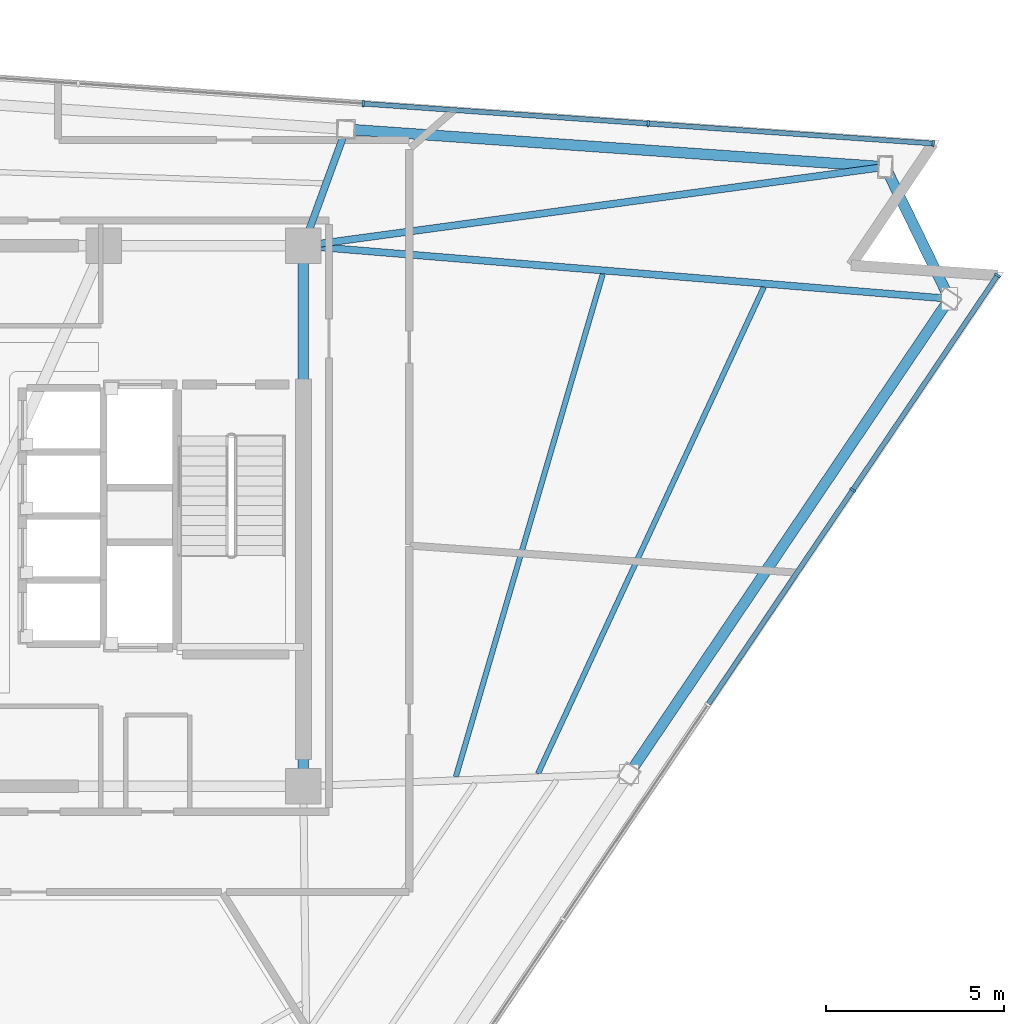
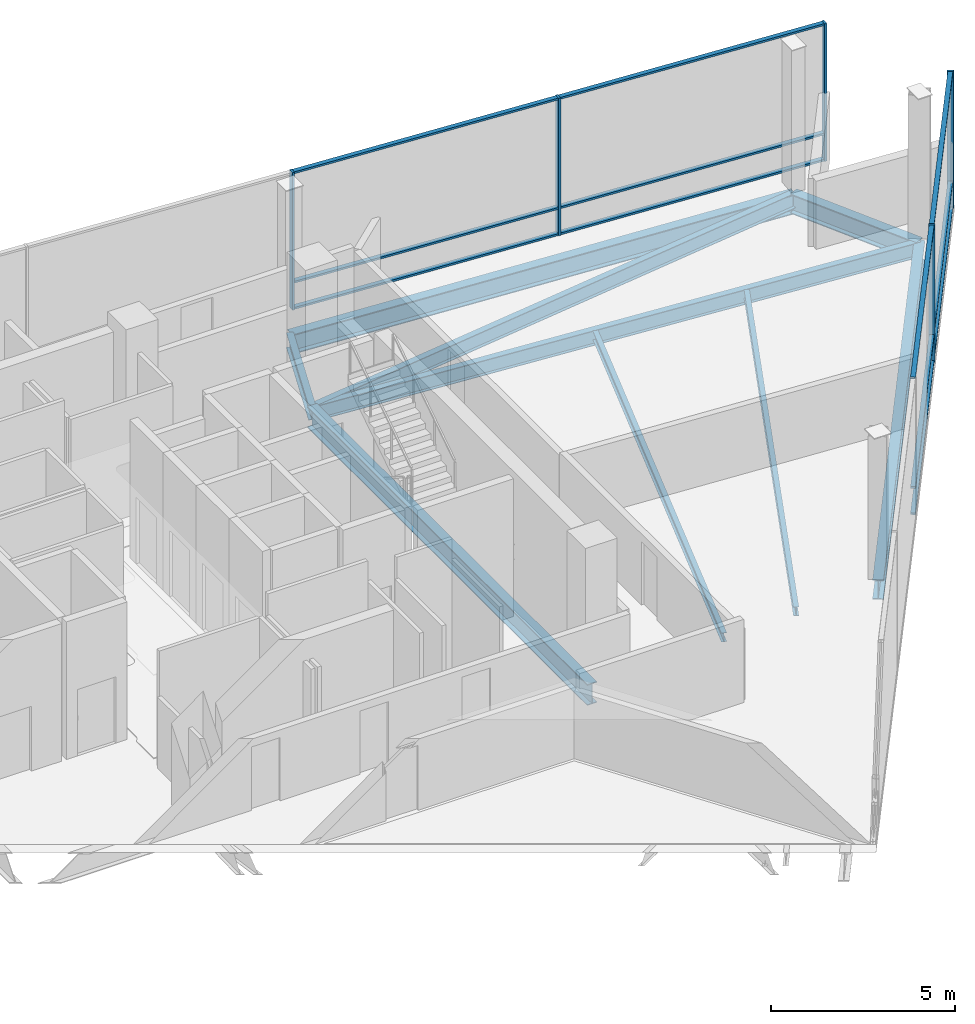
# One storey, part 7 of 13: 17 members, 9 beams, 2 elements without a shape of their own.
"""IFC4 building model written with IfcOpenShell, lengths in metres."""

from ifc_helpers import new_model, si_unit, direction, frame, origin, origin_2d, place, context, subcontext, project, spatial, rectangle, i_section, extrude, material, layer, layer_set, material_profile, profile_set, type_object, element, aggregate, save


model = new_model("IFC4")

# Units and contexts
model_context = context("Model", 3, precision=1e-05, world=origin(), true_north=direction((0.0, 1.0)))
body_context = subcontext(model_context, "Body", "Model", "MODEL_VIEW")
ifc_project = project(units=[si_unit("LENGTHUNIT", "METRE"), si_unit("AREAUNIT", "SQUARE_METRE"), si_unit("VOLUMEUNIT", "CUBIC_METRE"), si_unit("PLANEANGLEUNIT", "RADIAN"), si_unit("MASSUNIT", "GRAM", prefix="KILO")], contexts=[model_context])

# Site, building, storey
site_placement = place(None, origin())
site = spatial("IfcSite", under=ifc_project, at=site_placement, CompositionType="ELEMENT")
building_placement = place(site_placement, origin())
building = spatial("IfcBuilding", under=site, at=building_placement, Name="Tharavind Bronze Gate", CompositionType="ELEMENT")
storey_placement = place(building_placement, frame((0.0, 0.0, 248.64990234375)))
storey = spatial("IfcBuildingStorey", under=building, at=storey_placement, Name="L64", CompositionType="ELEMENT", Elevation=248.64990234375)

# Curtain wall, members
ifc_material_1 = material(Name="Anodised Bronze Aluminium", Category="aluminium")
ifc_layer = layer(ifc_material_1, 0.219970703125)
ifc_layer_set = layer_set([ifc_layer], Name="Anodised Bronze Aluminium")
curtain_wall_type = type_object("IfcCurtainWallType", Name="UNITISED CURTAIN WALL UPPER OFFICE", PredefinedType="USERDEFINED", material=ifc_layer_set)
curtain_wall_1_placement = place(storey_placement, origin())
curtain_wall_1 = element("IfcCurtainWall", 1, at=curtain_wall_1_placement, inside=storey, type_object=curtain_wall_type, Name="L64 unitised curtain wall upper office CW-L64-S2", ObjectType="UNITISED CURTAIN WALL", PredefinedType="USERDEFINED")
member_type_1 = type_object("IfcMemberType", Name="CURTAIN WALL BRONZE MULLION 65X180", PredefinedType="MULLION", material=ifc_material_1)
member_1_placement = place(storey_placement, frame((24.35791015625, 0.732177734375, 0.0), z_axis=(0.0, 0.0, 1.0), x_axis=(0.559192903471, 0.829037572555, 0.0)))
member_1 = element("IfcMember", 2, at=member_1_placement, type_object=member_type_1, Name="CW-L64-S2 mullion 7", PredefinedType="MULLION", context=body_context, shape_type="SweptSolid", body=[
    extrude(rectangle(XDim=0.06494140625, YDim=0.179931640625, at=origin_2d()), origin(), (0.0, 0.0, 1.0), 4.56005859375),
])
member_2_placement = place(storey_placement, frame((28.430419921875, 6.77001953125, 0.0), z_axis=(0.0, 0.0, 1.0), x_axis=(0.559192903471, 0.829037572555, 0.0)))
member_2 = element("IfcMember", 3, at=member_2_placement, type_object=member_type_1, Name="CW-L64-S2 mullion 8", PredefinedType="MULLION", context=body_context, shape_type="SweptSolid", body=[
    extrude(rectangle(XDim=0.06494140625, YDim=0.179931640625, at=origin_2d()), origin(), (0.0, 0.0, 1.0), 4.56005859375),
])

curtain_wall_2_placement = place(storey_placement, origin())
curtain_wall_2 = element("IfcCurtainWall", 4, at=curtain_wall_2_placement, inside=storey, type_object=curtain_wall_type, Name="L64 unitised curtain wall upper office CW-L64-S3", ObjectType="UNITISED CURTAIN WALL", PredefinedType="USERDEFINED")
member_3_placement = place(storey_placement, frame((26.620849609375, 10.480224609375, 0.0), z_axis=(0.0, 0.0, 1.0), x_axis=(-0.99756392851, 0.069758214822, 0.0)))
member_3 = element("IfcMember", 5, at=member_3_placement, type_object=member_type_1, Name="CW-L64-S3 mullion 1", PredefinedType="MULLION", context=body_context, shape_type="SweptSolid", body=[
    extrude(rectangle(XDim=0.06494140625, YDim=0.179931640625, at=origin_2d()), origin(), (0.0, 0.0, 1.0), 4.56005859375),
])
member_4_placement = place(storey_placement, frame((18.602294921875, 11.041015625, 0.0), z_axis=(0.0, 0.0, 1.0), x_axis=(-0.99756392851, 0.069758214822, 0.0)))
member_4 = element("IfcMember", 6, at=member_4_placement, type_object=member_type_1, Name="CW-L64-S3 mullion 2", PredefinedType="MULLION", context=body_context, shape_type="SweptSolid", body=[
    extrude(rectangle(XDim=0.06494140625, YDim=0.179931640625, at=origin_2d()), origin(), (0.0, 0.0, 1.0), 4.56005859375),
])
member_5_placement = place(storey_placement, frame((10.583984375, 11.6015625, 0.0), z_axis=(0.0, 0.0, 1.0), x_axis=(-0.99756392851, 0.069758214822, 0.0)))
member_5 = element("IfcMember", 7, at=member_5_placement, type_object=member_type_1, Name="CW-L64-S3 mullion 3", PredefinedType="MULLION", context=body_context, shape_type="SweptSolid", body=[
    extrude(rectangle(XDim=0.06494140625, YDim=0.179931640625, at=origin_2d()), origin(), (0.0, 0.0, 1.0), 4.56005859375),
])

# Member
member_type_2 = type_object("IfcMemberType", Name="CURTAIN WALL BRONZE TRANSOM 65X140", PredefinedType="USERDEFINED", material=ifc_material_1)
member_6_placement = place(storey_placement, frame((22.321533203125, -2.28662109375, 0.000244140625), z_axis=(0.0, 0.0, 1.0), x_axis=(0.559192903471, 0.829037572555, 0.0)))
member_6 = element("IfcMember", 8, at=member_6_placement, type_object=member_type_2, Name="CW-L64-S2 transom TB6", ObjectType="TRANSOM", PredefinedType="USERDEFINED", context=body_context, shape_type="SweptSolid", body=[
    extrude(rectangle(XDim=7.22998046875, YDim=0.139892578125, at=origin_2d()), origin(), (0.0, 0.0, 1.0), 0.06494140625),
])

member_7_placement = place(storey_placement, frame((22.321533203125, -2.28662109375, 0.86767578125), z_axis=(0.0, 0.0, 1.0), x_axis=(0.559192903471, 0.829037572555, 0.0)))
member_7 = element("IfcMember", 9, at=member_7_placement, type_object=member_type_2, Name="CW-L64-S2 transom TS6", ObjectType="TRANSOM", PredefinedType="USERDEFINED", context=body_context, shape_type="SweptSolid", body=[
    extrude(rectangle(XDim=7.22998046875, YDim=0.139892578125, at=origin_2d()), origin(), (0.0, 0.0, 1.0), 0.06494140625),
])

member_8_placement = place(storey_placement, frame((22.321533203125, -2.28662109375, 4.4951171875), z_axis=(0.0, 0.0, 1.0), x_axis=(0.559192903471, 0.829037572555, 0.0)))
member_8 = element("IfcMember", 10, at=member_8_placement, type_object=member_type_2, Name="CW-L64-S2 transom TT6", ObjectType="TRANSOM", PredefinedType="USERDEFINED", context=body_context, shape_type="SweptSolid", body=[
    extrude(rectangle(XDim=7.22998046875, YDim=0.139892578125, at=origin_2d()), origin(), (0.0, 0.0, 1.0), 0.06494140625),
])

member_9_placement = place(storey_placement, frame((26.39404296875, 3.751220703125, 0.000244140625), z_axis=(0.0, 0.0, 1.0), x_axis=(0.559192903471, 0.829037572555, 0.0)))
member_9 = element("IfcMember", 11, at=member_9_placement, type_object=member_type_2, Name="CW-L64-S2 transom TB7", ObjectType="TRANSOM", PredefinedType="USERDEFINED", context=body_context, shape_type="SweptSolid", body=[
    extrude(rectangle(XDim=7.22998046875, YDim=0.139892578125, at=origin_2d()), origin(), (0.0, 0.0, 1.0), 0.06494140625),
])

member_10_placement = place(storey_placement, frame((26.39404296875, 3.751220703125, 0.86767578125), z_axis=(0.0, 0.0, 1.0), x_axis=(0.559192903471, 0.829037572555, 0.0)))
member_10 = element("IfcMember", 12, at=member_10_placement, type_object=member_type_2, Name="CW-L64-S2 transom TS7", ObjectType="TRANSOM", PredefinedType="USERDEFINED", context=body_context, shape_type="SweptSolid", body=[
    extrude(rectangle(XDim=7.22998046875, YDim=0.139892578125, at=origin_2d()), origin(), (0.0, 0.0, 1.0), 0.06494140625),
])

member_11_placement = place(storey_placement, frame((26.39404296875, 3.751220703125, 4.4951171875), z_axis=(0.0, 0.0, 1.0), x_axis=(0.559192903471, 0.829037572555, 0.0)))
member_11 = element("IfcMember", 13, at=member_11_placement, type_object=member_type_2, Name="CW-L64-S2 transom TT7", ObjectType="TRANSOM", PredefinedType="USERDEFINED", context=body_context, shape_type="SweptSolid", body=[
    extrude(rectangle(XDim=7.22998046875, YDim=0.139892578125, at=origin_2d()), origin(), (0.0, 0.0, 1.0), 0.06494140625),
])

aggregate(curtain_wall_1, [member_1, member_2, member_6, member_7, member_8, member_9, member_10, member_11])

member_12_placement = place(storey_placement, frame((22.611572265625, 10.760498046875, 0.000244140625), z_axis=(0.0, 0.0, 1.0), x_axis=(-0.99756392851, 0.069758214822, 0.0)))
member_12 = element("IfcMember", 14, at=member_12_placement, type_object=member_type_2, Name="CW-L64-S3 transom TB1", ObjectType="TRANSOM", PredefinedType="USERDEFINED", context=body_context, shape_type="SweptSolid", body=[
    extrude(rectangle(XDim=7.985107421875, YDim=0.139892578125, at=origin_2d()), origin(), (0.0, 0.0, 1.0), 0.06494140625),
])

member_13_placement = place(storey_placement, frame((22.611572265625, 10.760498046875, 0.86767578125), z_axis=(0.0, 0.0, 1.0), x_axis=(-0.99756392851, 0.069758214822, 0.0)))
member_13 = element("IfcMember", 15, at=member_13_placement, type_object=member_type_2, Name="CW-L64-S3 transom TS1", ObjectType="TRANSOM", PredefinedType="USERDEFINED", context=body_context, shape_type="SweptSolid", body=[
    extrude(rectangle(XDim=7.985107421875, YDim=0.139892578125, at=origin_2d()), origin(), (0.0, 0.0, 1.0), 0.06494140625),
])

member_14_placement = place(storey_placement, frame((22.611572265625, 10.760498046875, 4.4951171875), z_axis=(0.0, 0.0, 1.0), x_axis=(-0.99756392851, 0.069758214822, 0.0)))
member_14 = element("IfcMember", 16, at=member_14_placement, type_object=member_type_2, Name="CW-L64-S3 transom TT1", ObjectType="TRANSOM", PredefinedType="USERDEFINED", context=body_context, shape_type="SweptSolid", body=[
    extrude(rectangle(XDim=7.985107421875, YDim=0.139892578125, at=origin_2d()), origin(), (0.0, 0.0, 1.0), 0.06494140625),
])

member_15_placement = place(storey_placement, frame((14.593017578125, 11.3212890625, 0.000244140625), z_axis=(0.0, 0.0, 1.0), x_axis=(-0.99756392851, 0.069758214822, 0.0)))
member_15 = element("IfcMember", 17, at=member_15_placement, type_object=member_type_2, Name="CW-L64-S3 transom TB2", ObjectType="TRANSOM", PredefinedType="USERDEFINED", context=body_context, shape_type="SweptSolid", body=[
    extrude(rectangle(XDim=7.985107421875, YDim=0.139892578125, at=origin_2d()), origin(), (0.0, 0.0, 1.0), 0.06494140625),
])

member_16_placement = place(storey_placement, frame((14.593017578125, 11.3212890625, 0.86767578125), z_axis=(0.0, 0.0, 1.0), x_axis=(-0.99756392851, 0.069758214822, 0.0)))
member_16 = element("IfcMember", 18, at=member_16_placement, type_object=member_type_2, Name="CW-L64-S3 transom TS2", ObjectType="TRANSOM", PredefinedType="USERDEFINED", context=body_context, shape_type="SweptSolid", body=[
    extrude(rectangle(XDim=7.985107421875, YDim=0.139892578125, at=origin_2d()), origin(), (0.0, 0.0, 1.0), 0.06494140625),
])

member_17_placement = place(storey_placement, frame((14.593017578125, 11.3212890625, 4.4951171875), z_axis=(0.0, 0.0, 1.0), x_axis=(-0.99756392851, 0.069758214822, 0.0)))
member_17 = element("IfcMember", 19, at=member_17_placement, type_object=member_type_2, Name="CW-L64-S3 transom TT2", ObjectType="TRANSOM", PredefinedType="USERDEFINED", context=body_context, shape_type="SweptSolid", body=[
    extrude(rectangle(XDim=7.985107421875, YDim=0.139892578125, at=origin_2d()), origin(), (0.0, 0.0, 1.0), 0.06494140625),
])

aggregate(curtain_wall_2, [member_3, member_4, member_5, member_12, member_13, member_14, member_15, member_16, member_17])

# Beams
ifc_material_2 = material(Name="Steel S355", Category="steel")
ifc_material_profile_1 = material_profile(ifc_material_2, i_section(OverallWidth=0.300048828125, OverallDepth=0.64990234375, WebThickness=0.01611328125, FlangeThickness=0.031005859375, at=origin_2d()), Name="HE650B")
ifc_profile_set_1 = profile_set([ifc_material_profile_1], Name="Steel S355")
beam_type_1 = type_object("IfcBeamType", Name="PRIMARY GIRDER HE650B", PredefinedType="USERDEFINED", material=ifc_profile_set_1)
beam_1_placement = place(storey_placement, frame((18.06396484375, -7.2578125, -0.5048828125), z_axis=(0.559188128577, 0.829040793241, 0.0), x_axis=(-0.829040793241, 0.559188128577, 0.0)))
element("IfcBeam", 20, at=beam_1_placement, inside=storey, type_object=beam_type_1, Name="L64 primary girder he650b BM-L64-PRG07", ObjectType="GIRDER", PredefinedType="USERDEFINED", context=body_context, shape_type="SweptSolid", body=[
    extrude(i_section(OverallWidth=0.300048828125, OverallDepth=0.64990234375, WebThickness=0.01611328125, FlangeThickness=0.031005859375, at=origin_2d()), origin(), (0.0, 0.0, 1.0), 16.12744140625),
])
beam_2_placement = place(storey_placement, frame((27.082275390625, 6.112548828125, -0.5048828125), z_axis=(-0.438367699713, 0.898795727542, 0.0), x_axis=(-0.898795727542, -0.438367699713, 0.0)))
element("IfcBeam", 21, at=beam_2_placement, inside=storey, type_object=beam_type_1, Name="L64 primary girder he650b BM-L64-PRG08", ObjectType="GIRDER", PredefinedType="USERDEFINED", context=body_context, shape_type="SweptSolid", body=[
    extrude(i_section(OverallWidth=0.300048828125, OverallDepth=0.64990234375, WebThickness=0.01611328125, FlangeThickness=0.031005859375, at=origin_2d()), origin(), (0.0, 0.0, 1.0), 4.1279296875),
])
beam_3_placement = place(storey_placement, frame((25.272705078125, 9.82275390625, -0.5048828125), z_axis=(-0.997563917828, 0.069758367582, 0.0), x_axis=(-0.069758367582, -0.997563917828, 0.0)))
element("IfcBeam", 22, at=beam_3_placement, inside=storey, type_object=beam_type_1, Name="L64 primary girder he650b BM-L64-PRG09", ObjectType="GIRDER", PredefinedType="USERDEFINED", context=body_context, shape_type="SweptSolid", body=[
    extrude(i_section(OverallWidth=0.300048828125, OverallDepth=0.64990234375, WebThickness=0.01611328125, FlangeThickness=0.031005859375, at=origin_2d()), origin(), (0.0, 0.0, 1.0), 15.210205078125),
])
ifc_material_profile_2 = material_profile(ifc_material_2, i_section(OverallWidth=0.199951171875, OverallDepth=0.5, WebThickness=0.01025390625, FlangeThickness=0.01611328125, at=origin_2d()), Name="IPE500")
ifc_profile_set_2 = profile_set([ifc_material_profile_2], Name="Steel S355")
beam_type_2 = type_object("IfcBeamType", Name="PRIMARY GIRDER IPE500", PredefinedType="USERDEFINED", material=ifc_profile_set_2)
beam_4_placement = place(storey_placement, frame((27.082275390625, 6.112548828125, -0.429931640625), z_axis=(-0.996670048992, 0.081540256576, 0.0), x_axis=(-0.081540256576, -0.996670048992, 0.0)))
element("IfcBeam", 23, at=beam_4_placement, inside=storey, type_object=beam_type_2, Name="L64 primary girder ipe500 BM-L64-RAD08", ObjectType="GIRDER", PredefinedType="USERDEFINED", context=body_context, shape_type="SweptSolid", body=[
    extrude(i_section(OverallWidth=0.199951171875, OverallDepth=0.5, WebThickness=0.01025390625, FlangeThickness=0.01611328125, at=origin_2d()), origin(), (0.0, 0.0, 1.0), 18.2431640625),
])
beam_5_placement = place(storey_placement, frame((25.272705078125, 9.82275390625, -0.429931640625), z_axis=(-0.990911002209, -0.134519090469, 0.0), x_axis=(0.134519090469, -0.990911002209, 0.0)))
element("IfcBeam", 24, at=beam_5_placement, inside=storey, type_object=beam_type_2, Name="L64 primary girder ipe500 BM-L64-RAD09", ObjectType="GIRDER", PredefinedType="USERDEFINED", context=body_context, shape_type="SweptSolid", body=[
    extrude(i_section(OverallWidth=0.199951171875, OverallDepth=0.5, WebThickness=0.01025390625, FlangeThickness=0.01611328125, at=origin_2d()), origin(), (0.0, 0.0, 1.0), 16.52294921875),
])
beam_6_placement = place(storey_placement, frame((10.099609375, 10.8837890625, -0.429931640625), z_axis=(-0.343166887309, -0.939274447355, 0.0), x_axis=(0.939274447355, -0.343166887309, 0.0)))
element("IfcBeam", 25, at=beam_6_placement, inside=storey, type_object=beam_type_2, Name="L64 primary girder ipe500 BM-L64-RAD10", ObjectType="GIRDER", PredefinedType="USERDEFINED", context=body_context, shape_type="SweptSolid", body=[
    extrude(i_section(OverallWidth=0.199951171875, OverallDepth=0.5, WebThickness=0.01025390625, FlangeThickness=0.01611328125, at=origin_2d()), origin(), (0.0, 0.0, 1.0), 3.49609375),
])
ifc_material_profile_3 = material_profile(ifc_material_2, i_section(OverallWidth=0.300048828125, OverallDepth=0.699951171875, WebThickness=0.01708984375, FlangeThickness=0.031982421875, at=origin_2d()), Name="HE700B")
ifc_profile_set_3 = profile_set([ifc_material_profile_3], Name="Steel S355")
beam_type_3 = type_object("IfcBeamType", Name="RING GIRDER HE700B", PredefinedType="USERDEFINED", material=ifc_profile_set_3)
beam_7_placement = place(storey_placement, frame((8.89990234375, -7.60009765625, -0.52978515625), z_axis=(0.0, 1.0, 0.0), x_axis=(-1.0, 0.0, 0.0)))
element("IfcBeam", 26, at=beam_7_placement, inside=storey, type_object=beam_type_3, Name="L64 ring girder he700b BM-L64-CR3", ObjectType="GIRDER", PredefinedType="USERDEFINED", context=body_context, shape_type="SweptSolid", body=[
    extrude(i_section(OverallWidth=0.300048828125, OverallDepth=0.699951171875, WebThickness=0.01708984375, FlangeThickness=0.031982421875, at=origin_2d()), origin(), (0.0, 0.0, 1.0), 15.2001953125),
])
ifc_material_profile_4 = material_profile(ifc_material_2, i_section(OverallWidth=0.14990234375, OverallDepth=0.300048828125, WebThickness=0.007080078125, FlangeThickness=0.0107421875, at=origin_2d()), Name="IPE300")
ifc_profile_set_4 = profile_set([ifc_material_profile_4], Name="Steel S355")
beam_type_4 = type_object("IfcBeamType", Name="SECONDARY FLOOR JOIST IPE300", PredefinedType="JOIST", material=ifc_profile_set_4)
beam_8_placement = place(storey_placement, frame((13.19189453125, -7.335693359375, -0.329833984375), z_axis=(0.280517905759, 0.959848792544, 0.0), x_axis=(-0.959848792544, 0.280517905759, 0.0)))
element("IfcBeam", 27, at=beam_8_placement, inside=storey, type_object=beam_type_4, Name="L64 secondary floor joist ipe300 BM-L64-JSTA07", PredefinedType="JOIST", context=body_context, shape_type="SweptSolid", body=[
    extrude(i_section(OverallWidth=0.14990234375, OverallDepth=0.300048828125, WebThickness=0.007080078125, FlangeThickness=0.0107421875, at=origin_2d()), origin(), (0.0, 0.0, 1.0), 14.733642578125),
])
beam_9_placement = place(storey_placement, frame((15.501220703125, -7.249755859375, -0.329833984375), z_axis=(0.42102525581, 0.907048914872, 0.0), x_axis=(-0.907048914872, 0.42102525581, 0.0)))
element("IfcBeam", 28, at=beam_9_placement, inside=storey, type_object=beam_type_4, Name="L64 secondary floor joist ipe300 BM-L64-JSTB07", PredefinedType="JOIST", context=body_context, shape_type="SweptSolid", body=[
    extrude(i_section(OverallWidth=0.14990234375, OverallDepth=0.300048828125, WebThickness=0.007080078125, FlangeThickness=0.0107421875, at=origin_2d()), origin(), (0.0, 0.0, 1.0), 15.08837890625),
])

save(model, "model.ifc")
